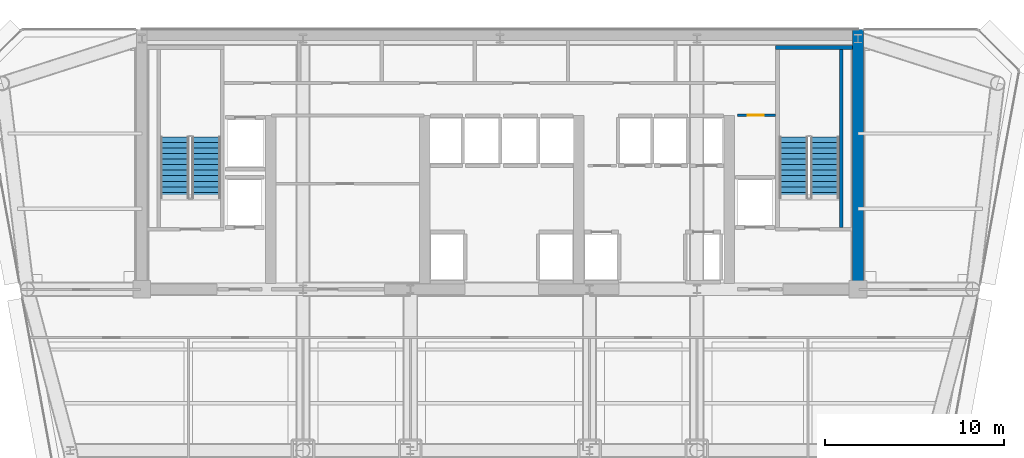
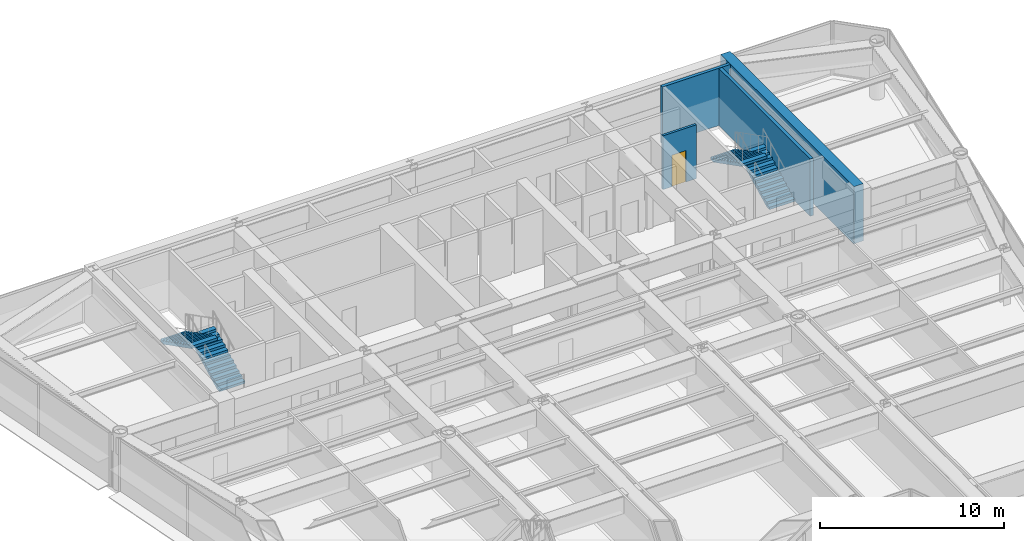
# One storey, part 12 of 16: 4 stair flights, 4 walls, 1 door, 1 opening, 2 elements without a shape of their own.
"""IFC4 building model written with IfcOpenShell, lengths in metres."""

from ifc_helpers import new_model, si_unit, direction, frame, frame_2d, origin, place, context, subcontext, project, spatial, polyline, rectangle, outline, extrude, source, transform, mapped, material, layer, layer_set, type_object, element, fill, aggregate, save


model = new_model("IFC4")

# Units and contexts
model_context = context("Model", 3, precision=1e-05, world=origin(), true_north=direction((0.0, 1.0)))
body_context = subcontext(model_context, "Body", "Model", "MODEL_VIEW")
ifc_project = project(units=[si_unit("LENGTHUNIT", "METRE"), si_unit("AREAUNIT", "SQUARE_METRE"), si_unit("VOLUMEUNIT", "CUBIC_METRE"), si_unit("PLANEANGLEUNIT", "RADIAN"), si_unit("MASSUNIT", "GRAM", prefix="KILO")], contexts=[model_context])

# Site, building, storey
site_placement = place(None, origin())
site = spatial("IfcSite", under=ifc_project, at=site_placement, CompositionType="ELEMENT")
building_placement = place(site_placement, origin())
building = spatial("IfcBuilding", under=site, at=building_placement, Name="Vaeldorn Concourse Tower", CompositionType="ELEMENT")
storey_placement = place(building_placement, frame((0.0, 0.0, 203.199951171875)))
storey = spatial("IfcBuildingStorey", under=building, at=storey_placement, Name="L52", CompositionType="ELEMENT", Elevation=203.199951171875)

# Wall
ifc_material_1 = material(Name="Concrete C50/60", Category="concrete")
ifc_layer_1 = layer(ifc_material_1, 0.60009765625)
ifc_layer_set_1 = layer_set([ifc_layer_1], Name="Concrete C50/60")
wall_type_1 = type_object("IfcWallType", Name="WL-CORE-600", PredefinedType="SHEAR", material=ifc_layer_set_1)
wall_1_placement = place(storey_placement, frame((54.0, 36.5, 0.0), z_axis=(0.0, 0.0, 1.0), x_axis=(0.0, 1.0, 0.0)))
element("IfcWall", 1, at=wall_1_placement, inside=storey, type_object=wall_type_1, Name="Rear Core Shear Wall L52 E1", PredefinedType="SHEAR", context=body_context, shape_type="SweptSolid", body=[
    extrude(rectangle(XDim=14.5, YDim=0.60009765625, at=frame_2d((7.25, 0.0))), origin(), (0.0, 0.0, 1.0), 3.800048828125),
])

# Wall, opening, door
ifc_material_2 = material(Name="Gypsum Board Partition", Category="gypsum")
ifc_layer_2 = layer(ifc_material_2, 0.14990234375)
ifc_layer_set_2 = layer_set([ifc_layer_2], Name="Gypsum Board Partition")
wall_type_2 = type_object("IfcWallType", Name="WL-PART-150", PredefinedType="PARTITIONING", material=ifc_layer_set_2)
wall_2_placement = place(storey_placement, frame((47.280029296875, 46.219970703125, 0.0), z_axis=(0.0, 0.0, 1.0), x_axis=(1.0, 0.0, 0.0)))
wall_2 = element("IfcWall", 2, at=wall_2_placement, inside=storey, type_object=wall_type_2, Name="Interior Wall CW-L52-CRSE-N", PredefinedType="PARTITIONING", context=body_context, shape_type="SweptSolid", body=[
    extrude(rectangle(XDim=2.099853515625, YDim=0.14990234375, at=frame_2d((1.0498046875, 0.0))), origin(), (0.0, 0.0, 1.0), 3.580078125),
])
opening_placement = place(wall_2_placement, frame((0.550048828125, 0.0, 0.0)))
opening = element("IfcOpeningElement", 3, at=opening_placement, cuts=wall_2, Name="Opening D-02", PredefinedType="OPENING", context=body_context, shape_type="SweptSolid", body=[
    extrude(rectangle(XDim=0.89990234375, YDim=2.10009765625, at=frame_2d((0.449951171875, 1.050048828125))), frame((0.0, 0.0849609375, 0.0), z_axis=(0.0, -1.0, 0.0), x_axis=(1.0, 0.0, 0.0)), (0.0, 0.0, 1.0), 0.169921875),
])
ifc_material_3 = material(Name="Fire-Rated Timber Leaf", Category="wood")
door_type = type_object("IfcDoorType", Name="DR-FD30-900", OperationType="NOTDEFINED", PredefinedType="DOOR", material=ifc_material_3)
shared_shape = source(origin(), body_context, "Body", "SweptSolid", [
    extrude(rectangle(XDim=0.89990234375, YDim=2.10009765625, at=frame_2d((0.449951171875, 1.050048828125))), frame((0.0, 0.02490234375, 0.0), z_axis=(0.0, -1.0, 0.0), x_axis=(1.0, 0.0, 0.0)), (0.0, 0.0, 1.0), 0.050048828125),
])
door_placement = place(opening_placement, origin())
door = element("IfcDoor", 4, at=door_placement, inside=storey, type_object=door_type, Name="Interior Door DR-L52-CRSE", OperationType="SINGLE_SWING_RIGHT", OverallHeight=2.10009765625, OverallWidth=0.89990234375, PredefinedType="DOOR", context=body_context, shape_type="MappedRepresentation", body=[
    mapped(shared_shape, transform((0.0, 0.0, 0.0), scale=1.0)),
])
fill(opening, door)

# Walls
ifc_layer_3 = layer(ifc_material_1, 0.199951171875)
ifc_layer_set_3 = layer_set([ifc_layer_3], Name="Concrete C50/60")
wall_type_3 = type_object("IfcWallType", Name="WL-SHAFT-200", PredefinedType="SOLIDWALL", material=ifc_layer_set_3)
wall_3_placement = place(storey_placement, frame((49.39990234375, 50.0, 0.0), z_axis=(0.0, 0.0, 1.0), x_axis=(1.0, 0.0, 0.0)))
element("IfcWall", 5, at=wall_3_placement, inside=storey, type_object=wall_type_3, Name="Stair Shaft Wall CW-L52-ST-2-N", PredefinedType="SOLIDWALL", context=body_context, shape_type="SweptSolid", body=[
    extrude(rectangle(XDim=4.300048828125, YDim=0.199951171875, at=frame_2d((2.14990234375, 0.0))), origin(), (0.0, 0.0, 1.0), 3.800048828125),
])
wall_4_placement = place(storey_placement, frame((53.050048828125, 39.9599609375, 0.0), z_axis=(0.0, 0.0, 1.0), x_axis=(0.0, 1.0, 0.0)))
element("IfcWall", 6, at=wall_4_placement, inside=storey, type_object=wall_type_3, Name="Stair Shaft Wall CW-L52-ST-2-E", PredefinedType="SOLIDWALL", context=body_context, shape_type="SweptSolid", body=[
    extrude(rectangle(XDim=9.929931640625, YDim=0.199951171875, at=frame_2d((4.96484375, 0.0))), origin(), (0.0, 0.0, 1.0), 3.800048828125),
])

# Stair, stair flights
ifc_material_4 = material(Name="Precast concrete C40/50", Category="concrete")
stair_type = type_object("IfcStairType", Name="STR-DOG-24x158", PredefinedType="HALF_TURN_STAIR", material=ifc_material_4)
stair_1_placement = place(storey_placement, origin())
stair_1 = element("IfcStair", 7, at=stair_1_placement, inside=storey, type_object=stair_type, Name="L52 West Core Exit Stair ST-1", PredefinedType="HALF_TURN_STAIR")
stair_flight_type = type_object("IfcStairFlightType", Name="STF-STR-12x158", PredefinedType="STRAIGHT", material=ifc_material_4)
stair_flight_1_placement = place(storey_placement, frame((17.60009765625, 41.60009765625, 0.0), z_axis=(0.0, 0.0, 1.0), x_axis=(0.0, 1.0, 0.0)))
stair_flight_1 = element("IfcStairFlight", 8, at=stair_flight_1_placement, type_object=stair_flight_type, Name="ST-1 flight 1", NumberOfRisers=12, NumberOfTreads=11, PredefinedType="STRAIGHT", RiserHeight=0.158333333, TreadLength=0.31, context=body_context, shape_type="SweptSolid", body=[
    extrude(outline(polyline([(0.0, 0.0), (0.0, 0.158447265625), (0.31005859375, 0.158447265625), (0.31005859375, 0.316650390625), (0.6201171875, 0.316650390625), (0.6201171875, 0.47509765625), (0.929931640625, 0.47509765625), (0.929931640625, 0.63330078125), (1.239990234375, 0.63330078125), (1.239990234375, 0.791748046875), (1.550048828125, 0.791748046875), (1.550048828125, 0.949951171875), (1.860107421875, 0.949951171875), (1.860107421875, 1.1083984375), (2.169921875, 1.1083984375), (2.169921875, 1.2666015625), (2.47998046875, 1.2666015625), (2.47998046875, 1.425048828125), (2.7900390625, 1.425048828125), (2.7900390625, 1.583251953125), (3.10009765625, 1.583251953125), (3.10009765625, 1.74169921875), (3.409912109375, 1.74169921875), (3.409912109375, 1.89990234375), (3.409912109375, 1.5732421875), (0.32958984375, 0.0), (0.0, 0.0)])), frame((0.0, 0.800048828125, 0.0), z_axis=(0.0, -1.0, 0.0), x_axis=(1.0, 0.0, 0.0)), (0.0, 0.0, 1.0), 1.60009765625),
])
stair_flight_2_placement = place(storey_placement, frame((15.85009765625, 45.010009765625, 1.900146484375), z_axis=(0.0, 0.0, 1.0), x_axis=(0.0, -1.0, 0.0)))
stair_flight_2 = element("IfcStairFlight", 9, at=stair_flight_2_placement, type_object=stair_flight_type, Name="ST-1 flight 2", NumberOfRisers=12, NumberOfTreads=11, PredefinedType="STRAIGHT", RiserHeight=0.158333333, TreadLength=0.31, context=body_context, shape_type="SweptSolid", body=[
    extrude(outline(polyline([(0.0, 0.0), (0.0, 0.158447265625), (0.31005859375, 0.158447265625), (0.31005859375, 0.316650390625), (0.6201171875, 0.316650390625), (0.6201171875, 0.47509765625), (0.929931640625, 0.47509765625), (0.929931640625, 0.63330078125), (1.239990234375, 0.63330078125), (1.239990234375, 0.791748046875), (1.550048828125, 0.791748046875), (1.550048828125, 0.949951171875), (1.860107421875, 0.949951171875), (1.860107421875, 1.1083984375), (2.169921875, 1.1083984375), (2.169921875, 1.2666015625), (2.47998046875, 1.2666015625), (2.47998046875, 1.425048828125), (2.7900390625, 1.425048828125), (2.7900390625, 1.583251953125), (3.10009765625, 1.583251953125), (3.10009765625, 1.74169921875), (3.409912109375, 1.74169921875), (3.409912109375, 1.89990234375), (3.409912109375, 1.5732421875), (0.32958984375, 0.0), (0.0, 0.0)])), frame((0.0, 0.800048828125, 0.0), z_axis=(0.0, -1.0, 0.0), x_axis=(1.0, 0.0, 0.0)), (0.0, 0.0, 1.0), 1.60009765625),
])
aggregate(stair_1, [stair_flight_1, stair_flight_2])

stair_2_placement = place(storey_placement, origin())
stair_2 = element("IfcStair", 10, at=stair_2_placement, inside=storey, type_object=stair_type, Name="L52 East Core Exit Stair ST-2", PredefinedType="HALF_TURN_STAIR")
stair_flight_3_placement = place(storey_placement, frame((52.14990234375, 41.60009765625, 0.0), z_axis=(0.0, 0.0, 1.0), x_axis=(0.0, 1.0, 0.0)))
stair_flight_3 = element("IfcStairFlight", 11, at=stair_flight_3_placement, type_object=stair_flight_type, Name="ST-2 flight 1", NumberOfRisers=12, NumberOfTreads=11, PredefinedType="STRAIGHT", RiserHeight=0.158333333, TreadLength=0.31, context=body_context, shape_type="SweptSolid", body=[
    extrude(outline(polyline([(0.0, 0.0), (0.0, 0.158447265625), (0.31005859375, 0.158447265625), (0.31005859375, 0.316650390625), (0.6201171875, 0.316650390625), (0.6201171875, 0.47509765625), (0.929931640625, 0.47509765625), (0.929931640625, 0.63330078125), (1.239990234375, 0.63330078125), (1.239990234375, 0.791748046875), (1.550048828125, 0.791748046875), (1.550048828125, 0.949951171875), (1.860107421875, 0.949951171875), (1.860107421875, 1.1083984375), (2.169921875, 1.1083984375), (2.169921875, 1.2666015625), (2.47998046875, 1.2666015625), (2.47998046875, 1.425048828125), (2.7900390625, 1.425048828125), (2.7900390625, 1.583251953125), (3.10009765625, 1.583251953125), (3.10009765625, 1.74169921875), (3.409912109375, 1.74169921875), (3.409912109375, 1.89990234375), (3.409912109375, 1.5732421875), (0.32958984375, 0.0), (0.0, 0.0)])), frame((0.0, 0.800048828125, 0.0), z_axis=(0.0, -1.0, 0.0), x_axis=(1.0, 0.0, 0.0)), (0.0, 0.0, 1.0), 1.60009765625),
])
stair_flight_4_placement = place(storey_placement, frame((50.39990234375, 45.010009765625, 1.900146484375), z_axis=(0.0, 0.0, 1.0), x_axis=(0.0, -1.0, 0.0)))
stair_flight_4 = element("IfcStairFlight", 12, at=stair_flight_4_placement, type_object=stair_flight_type, Name="ST-2 flight 2", NumberOfRisers=12, NumberOfTreads=11, PredefinedType="STRAIGHT", RiserHeight=0.158333333, TreadLength=0.31, context=body_context, shape_type="SweptSolid", body=[
    extrude(outline(polyline([(0.0, 0.0), (0.0, 0.158447265625), (0.31005859375, 0.158447265625), (0.31005859375, 0.316650390625), (0.6201171875, 0.316650390625), (0.6201171875, 0.47509765625), (0.929931640625, 0.47509765625), (0.929931640625, 0.63330078125), (1.239990234375, 0.63330078125), (1.239990234375, 0.791748046875), (1.550048828125, 0.791748046875), (1.550048828125, 0.949951171875), (1.860107421875, 0.949951171875), (1.860107421875, 1.1083984375), (2.169921875, 1.1083984375), (2.169921875, 1.2666015625), (2.47998046875, 1.2666015625), (2.47998046875, 1.425048828125), (2.7900390625, 1.425048828125), (2.7900390625, 1.583251953125), (3.10009765625, 1.583251953125), (3.10009765625, 1.74169921875), (3.409912109375, 1.74169921875), (3.409912109375, 1.89990234375), (3.409912109375, 1.5732421875), (0.32958984375, 0.0), (0.0, 0.0)])), frame((0.0, 0.800048828125, 0.0), z_axis=(0.0, -1.0, 0.0), x_axis=(1.0, 0.0, 0.0)), (0.0, 0.0, 1.0), 1.60009765625),
])
aggregate(stair_2, [stair_flight_3, stair_flight_4])

save(model, "model.ifc")
